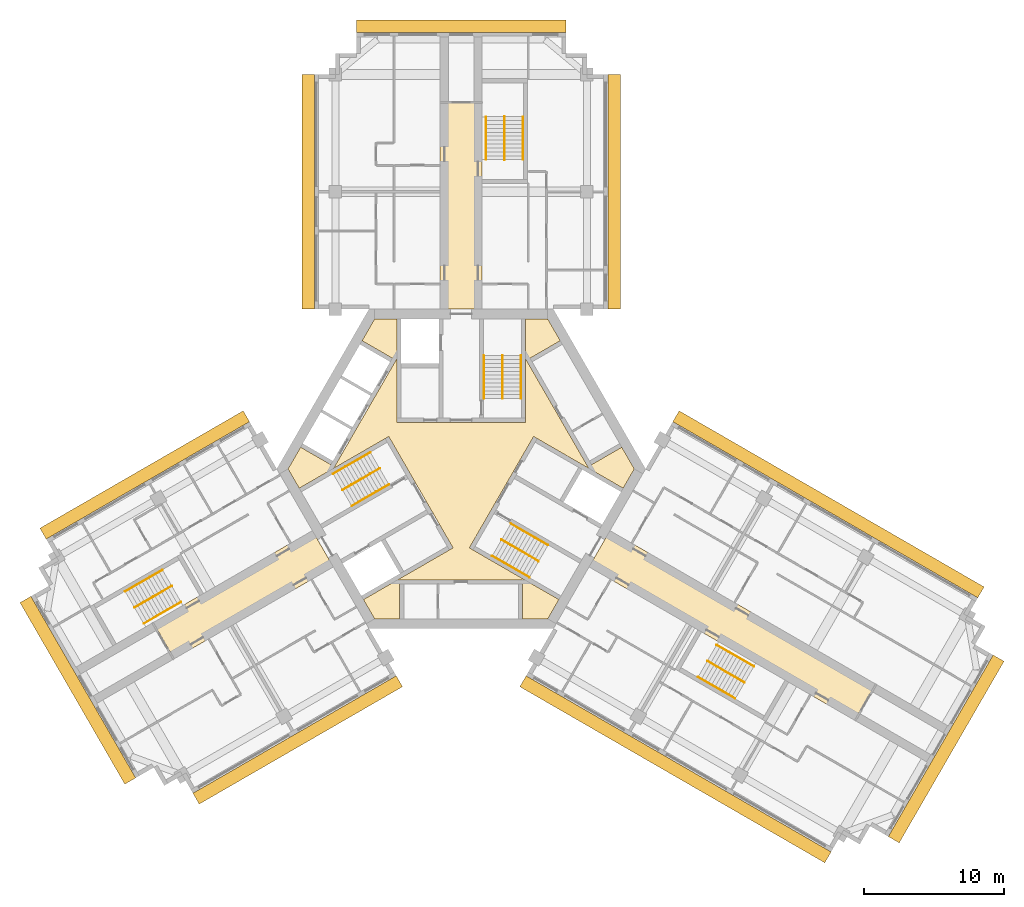
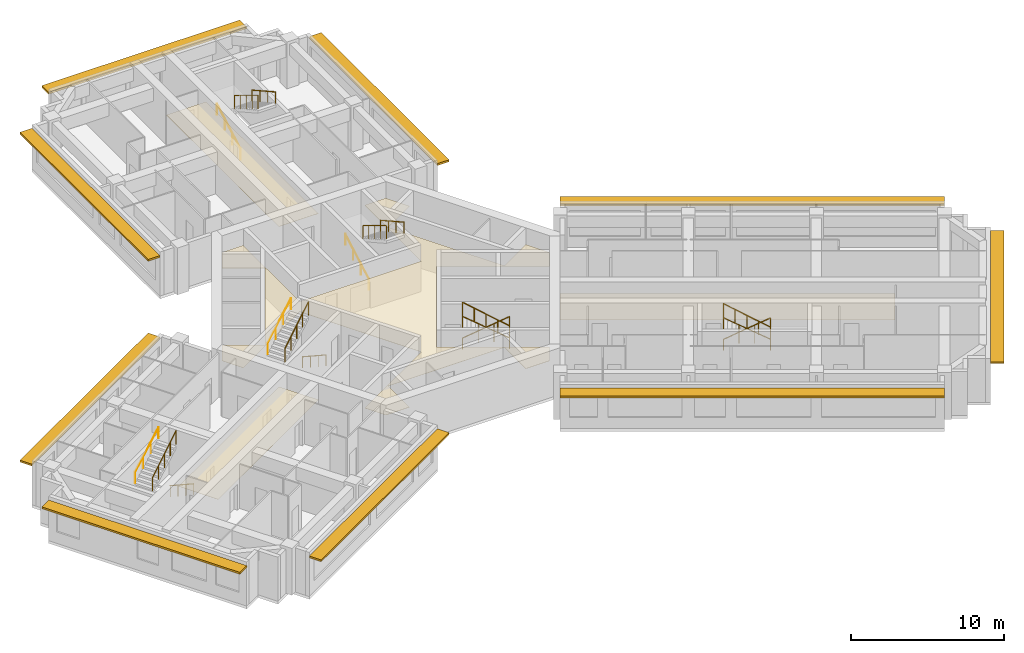
# One storey, part 10 of 10: 18 railings, 4 coverings, 3 shading devices.
"""IFC4 building model written with IfcOpenShell, lengths in metres."""

import ifcopenshell
import ifcopenshell.guid

model = None  # the IFC model being written
_history = None  # IfcOwnerHistory: only IFC2X3 demands one
_inside = {}  # id of a spatial element -> (the spatial element, [elements in it])
_under = {}  # id of a project, library or spatial element -> (it, [spatial elements below it])
_declared = {}  # id of a project -> (the project, [libraries it declares])
_typed = {}  # id of a type object -> (the type object, [elements of that type])
_made_of = {}  # id of a material, layer set ... -> (it, [elements and type objects made of it])


def new_model(schema):
    """Start an empty IFC model of exactly this schema.

    Asked for "IFC4X3", IfcOpenShell would pick the latest addendum, in which some entities
    have other attributes; the version numbers below select the first issue.
    IFC2X3 requires an IfcOwnerHistory on every rooted entity: one is made here for all.
    """
    global model, _history
    if schema == "IFC4X3":
        model = ifcopenshell.file(schema_version=(4, 3, 0, 0))
    else:
        model = ifcopenshell.file(schema=schema)
    _inside.clear()
    _under.clear()
    _declared.clear()
    _typed.clear()
    _made_of.clear()
    _history = None
    if model.schema == "IFC2X3":
        org = make("IfcOrganization", Name="unknown")
        user = make(
            "IfcPersonAndOrganization",
            ThePerson=make("IfcPerson", FamilyName="unknown"),
            TheOrganization=org,
        )
        app = make(
            "IfcApplication",
            ApplicationDeveloper=org,
            Version="unknown",
            ApplicationFullName="unknown",
            ApplicationIdentifier="unknown",
        )
        _history = make(
            "IfcOwnerHistory",
            OwningUser=user,
            OwningApplication=app,
            ChangeAction="ADDED",
            CreationDate=0,
        )
    return model


def make(cls, **values):
    """One entity of the class cls with the attributes given. An attribute that is None is left unset."""
    return model.create_entity(
        cls, **{name: value for name, value in values.items() if value is not None}
    )


def rooted(cls, **values):
    """An entity with a GlobalId (a new one), such as an element, a storey or a relation."""
    return make(cls, GlobalId=ifcopenshell.guid.new(), OwnerHistory=_history, **values)


def si_unit(unit_type, name, prefix=None):
    """IfcSIUnit, for example si_unit("LENGTHUNIT", "METRE", prefix="MILLI")."""
    return make("IfcSIUnit", UnitType=unit_type, Prefix=prefix, Name=name)


def assignment(units):
    """IfcUnitAssignment: the units of a project."""
    return None if units is None else make("IfcUnitAssignment", Units=units)


def point(xyz):
    """IfcCartesianPoint."""
    return None if xyz is None else make("IfcCartesianPoint", Coordinates=xyz)


def direction(xyz):
    """IfcDirection."""
    return None if xyz is None else make("IfcDirection", DirectionRatios=xyz)


def frame(location, z_axis=None, x_axis=None):
    """IfcAxis2Placement3D, a coordinate frame: its origin and axes. An axis left out is left unset."""
    return make(
        "IfcAxis2Placement3D",
        Location=point(location),
        Axis=direction(z_axis),
        RefDirection=direction(x_axis),
    )


def frame_2d(location, x_axis=None):
    """IfcAxis2Placement2D, a coordinate frame in the plane: its origin and x axis."""
    return make(
        "IfcAxis2Placement2D", Location=point(location), RefDirection=direction(x_axis)
    )


def origin():
    """The frame at (0, 0, 0) with its axes left unset."""
    return frame((0.0, 0.0, 0.0))


def origin_2d():
    """The frame at (0, 0) in the plane with its x axis left unset."""
    return frame_2d((0.0, 0.0))


def place(relative_to, where):
    """IfcLocalPlacement: puts the frame where relative to a parent placement (None: the world)."""
    return make(
        "IfcLocalPlacement", PlacementRelTo=relative_to, RelativePlacement=where
    )


def context(
    kind, dimensions, precision=None, world=None, true_north=None, identifier=None
):
    """IfcGeometricRepresentationContext, for example the 3D "Model" context."""
    return make(
        "IfcGeometricRepresentationContext",
        ContextIdentifier=identifier,
        ContextType=kind,
        CoordinateSpaceDimension=dimensions,
        Precision=precision,
        WorldCoordinateSystem=world,
        TrueNorth=true_north,
    )


def subcontext(parent, identifier, kind, view, scale=None):
    """IfcGeometricRepresentationSubContext, for example "Body" below "Model"."""
    return make(
        "IfcGeometricRepresentationSubContext",
        ContextIdentifier=identifier,
        ContextType=kind,
        ParentContext=parent,
        TargetScale=scale,
        TargetView=view,
    )


def project(units=None, contexts=None):
    """IfcProject with its units and contexts."""
    return rooted(
        "IfcProject",
        Name="project",
        RepresentationContexts=contexts,
        UnitsInContext=assignment(units),
    )


def spatial(cls, under=None, at=None, **own):
    """A site, building, storey or space (cls), placed at a placement, below another one or the project."""
    s = rooted(cls, ObjectPlacement=at, **own)
    if under is not None:
        _under.setdefault(under.id(), (under, []))[1].append(s)
    return s


def polyline(points):
    """IfcPolyline through the points."""
    return make("IfcPolyline", Points=[point(p) for p in points])


def profile(cls, at=None, kind="AREA", **sizes):
    """A parametric profile (cls). Its sizes go by their IFC names, for example OverallWidth=200.0."""
    return make(cls, ProfileType=kind, Position=at, **sizes)


def rectangle(**sizes):
    """IfcRectangleProfileDef."""
    return profile("IfcRectangleProfileDef", **sizes)


def circle(**sizes):
    """IfcCircleProfileDef."""
    return profile("IfcCircleProfileDef", **sizes)


def outline(outer, holes=None, kind="AREA"):
    """IfcArbitraryClosedProfileDef: a profile drawn as a closed curve; with holes, ...WithVoids."""
    if holes is None:
        return make("IfcArbitraryClosedProfileDef", ProfileType=kind, OuterCurve=outer)
    return make(
        "IfcArbitraryProfileDefWithVoids",
        ProfileType=kind,
        OuterCurve=outer,
        InnerCurves=holes,
    )


def extrude(swept, where, along, depth):
    """IfcExtrudedAreaSolid: the profile swept, set in the frame where, extruded along a direction by depth."""
    return make(
        "IfcExtrudedAreaSolid",
        SweptArea=swept,
        Position=where,
        ExtrudedDirection=direction(along),
        Depth=depth,
    )


def shape(context_of_items, identifier, shape_type, items):
    """IfcShapeRepresentation: the items that make up one representation, for example the "Body"."""
    return make(
        "IfcShapeRepresentation",
        ContextOfItems=context_of_items,
        RepresentationIdentifier=identifier,
        RepresentationType=shape_type,
        Items=items,
    )


def material(Name=None, Category=None):
    """IfcMaterial."""
    return make("IfcMaterial", Name=Name, Category=Category)


def layer(
    of_material, thickness, ventilated=None, Name=None, Category=None, Priority=None
):
    """IfcMaterialLayer: one layer of a wall or slab, of a material (None: an air gap)."""
    return make(
        "IfcMaterialLayer",
        Material=of_material,
        LayerThickness=thickness,
        IsVentilated=ventilated,
        Name=Name,
        Category=Category,
        Priority=Priority,
    )


def layer_set(layers, Name=None):
    """IfcMaterialLayerSet."""
    return make("IfcMaterialLayerSet", MaterialLayers=layers, LayerSetName=Name)


def made_of(thing, what):
    """Note that an element or type object is made of a material, layer set ...; save() writes the relation."""
    if what is not None:
        _made_of.setdefault(what.id(), (what, []))[1].append(thing)
    return thing


def type_object(cls, material=None, **own):
    """A type object (cls), such as IfcWallType, which elements share."""
    return made_of(rooted(cls, **own), material)


def element(
    cls,
    number,
    at=None,
    inside=None,
    cuts=None,
    type_object=None,
    material=None,
    context=None,
    identifier="Body",
    shape_type=None,
    held_by="IfcProductDefinitionShape",
    body=None,
    shapes=None,
    **own,
):
    """One element of the class cls, such as IfcWall. Its Tag is "e" and its number.

    at: its placement. inside: the storey or other place that contains it. cuts: it is an
    opening in that element (IfcRelVoidsElement). A single representation is given by context,
    identifier, shape_type and body (its items); several are given by shapes. held_by: the class
    of the entity that holds the representations. save() writes the other relations.
    """
    e = rooted(cls, Tag="e%d" % number, ObjectPlacement=at, **own)
    if body is not None:
        shapes = [shape(context, identifier, shape_type, body)]
    if shapes is not None:
        e.Representation = make(held_by, Representations=shapes)
    if inside is not None:
        _inside.setdefault(inside.id(), (inside, []))[1].append(e)
    if cuts is not None:
        rooted(
            "IfcRelVoidsElement", RelatingBuildingElement=cuts, RelatedOpeningElement=e
        )
    if type_object is not None:
        _typed.setdefault(type_object.id(), (type_object, []))[1].append(e)
    return made_of(e, material)


def aggregate(whole, parts):
    """IfcRelAggregates: a whole, such as a stair, and the parts it consists of."""
    return rooted("IfcRelAggregates", RelatingObject=whole, RelatedObjects=parts)


def save(model, path):
    """Write the relations noted so far, then the file.

    IfcRelAggregates (storeys below a building ...), IfcRelContainedInSpatialStructure (elements
    in a storey), IfcRelDefinesByType, IfcRelAssociatesMaterial and IfcRelDeclares: one each for
    every whole, place, type object, material and project.
    """
    for whole, parts in _under.values():
        aggregate(whole, parts)
    for where, things in _inside.values():
        rooted(
            "IfcRelContainedInSpatialStructure",
            RelatedElements=things,
            RelatingStructure=where,
        )
    for kind, things in _typed.values():
        rooted("IfcRelDefinesByType", RelatedObjects=things, RelatingType=kind)
    for what, things in _made_of.values():
        rooted("IfcRelAssociatesMaterial", RelatedObjects=things, RelatingMaterial=what)
    for by, libraries in _declared.values():
        rooted("IfcRelDeclares", RelatingContext=by, RelatedDefinitions=libraries)
    model.write(path)


model = new_model("IFC4")

# Units and contexts
model_context = context("Model", 3, precision=1e-05, world=origin(), true_north=direction((0.0, 1.0)))
body_context = subcontext(model_context, "Body", "Model", "MODEL_VIEW")
ifc_project = project(units=[si_unit("LENGTHUNIT", "METRE"), si_unit("AREAUNIT", "SQUARE_METRE"), si_unit("VOLUMEUNIT", "CUBIC_METRE"), si_unit("PLANEANGLEUNIT", "RADIAN"), si_unit("MASSUNIT", "GRAM", prefix="KILO")], contexts=[model_context])

# Site, building, storey
site_placement = place(None, origin())
site = spatial("IfcSite", under=ifc_project, at=site_placement, CompositionType="ELEMENT")
building_placement = place(site_placement, origin())
building = spatial("IfcBuilding", under=site, at=building_placement, Name="Impinga Residences", CompositionType="ELEMENT")
storey_placement = place(building_placement, frame((0.0, 0.0, 226.0)))
storey = spatial("IfcBuildingStorey", under=building, at=storey_placement, Name="L56", CompositionType="ELEMENT", Elevation=226.0)

# Coverings
ifc_material_1 = material(Name="Plasterboard 15 mm on steel hangers", Category="steel")
ifc_layer_1 = layer(ifc_material_1, 0.014892578125)
ifc_layer_set_1 = layer_set([ifc_layer_1], Name="Plasterboard 15 mm on steel hangers")
covering_type_1 = type_object("IfcCoveringType", Name="CL1 corridor ceiling, 15 mm plasterboard on hangers", PredefinedType="CEILING", material=ifc_layer_set_1)
covering_1_placement = place(storey_placement, frame((0.0, 0.0, 2.39990234375)))
element("IfcCovering", 1, at=covering_1_placement, inside=storey, type_object=covering_type_1, Name="Corridor ceiling CL1 L56-N00", PredefinedType="CEILING", context=body_context, shape_type="SweptSolid", body=[
    extrude(outline(polyline([(-1.5, 11.431640625), (1.5, 11.431640625), (1.5, 26.181640625), (-1.5, 26.181640625), (-1.5, 11.431640625)])), origin(), (0.0, 0.0, 1.0), 0.01513671875),
])
covering_2_placement = place(storey_placement, frame((0.0, 0.0, 2.39990234375)))
element("IfcCovering", 2, at=covering_2_placement, inside=storey, type_object=covering_type_1, Name="Corridor ceiling CL1 L56-W00", PredefinedType="CEILING", context=body_context, shape_type="SweptSolid", body=[
    extrude(outline(polyline([(-9.14990234375, -7.014892578125), (-10.64990234375, -4.416748046875), (-22.038330078125, -10.99169921875), (-20.538330078125, -13.58984375), (-9.14990234375, -7.014892578125)])), origin(), (0.0, 0.0, 1.0), 0.01513671875),
])
covering_3_placement = place(storey_placement, frame((0.0, 0.0, 2.39990234375)))
element("IfcCovering", 3, at=covering_3_placement, inside=storey, type_object=covering_type_1, Name="Corridor ceiling CL1 L56-E00", PredefinedType="CEILING", context=body_context, shape_type="SweptSolid", body=[
    extrude(outline(polyline([(10.64990234375, -4.416748046875), (9.14990234375, -7.014892578125), (28.1591796875, -17.98974609375), (29.6591796875, -15.391845703125), (10.64990234375, -4.416748046875)])), origin(), (0.0, 0.0, 1.0), 0.01513671875),
])
ifc_material_2 = material(Name="Mineral fibre tiles 20 mm on exposed grid", Category="mineral fibre")
ifc_layer_2 = layer(ifc_material_2, 0.02001953125)
ifc_layer_set_2 = layer_set([ifc_layer_2], Name="CL2 lift lobby ceiling, 20 mm mineral fibre tiles")
covering_type_2 = type_object("IfcCoveringType", Name="CL2 lift lobby ceiling, 20 mm mineral fibre tiles", PredefinedType="CEILING", material=ifc_layer_set_2)
covering_4_placement = place(storey_placement, frame((0.0, 0.0, 2.39990234375)))
element("IfcCovering", 4, at=covering_4_placement, inside=storey, type_object=covering_type_2, Name="Lift lobby ceiling CL2 L56-C01", PredefinedType="CEILING", context=body_context, shape_type="SweptSolid", body=[
    extrude(outline(polyline([(12.3916015625, 0.0), (11.59375, -1.382080078125), (5.183837890625, 2.318603515625), (0.583984375, -5.648681640625), (6.993896484375, -9.349365234375), (6.19580078125, -10.7314453125), (4.39990234375, -10.7314453125), (4.39990234375, -7.931640625), (-4.39990234375, -7.931640625), (-4.39990234375, -10.7314453125), (-6.19580078125, -10.7314453125), (-6.993896484375, -9.349365234375), (-0.583984375, -5.648681640625), (-5.183837890625, 2.318603515625), (-11.59375, -1.382080078125), (-12.3916015625, 0.0), (-11.493896484375, 1.55517578125), (-9.06884765625, 0.1552734375), (-4.6689453125, 7.7763671875), (-7.09375, 9.17626953125), (-6.19580078125, 10.7314453125), (-4.60009765625, 10.7314453125), (-4.60009765625, 3.330078125), (4.60009765625, 3.330078125), (4.60009765625, 10.7314453125), (6.19580078125, 10.7314453125), (7.09375, 9.17626953125), (4.6689453125, 7.7763671875), (9.06884765625, 0.1552734375), (11.493896484375, 1.55517578125), (12.3916015625, 0.0)])), origin(), (0.0, 0.0, 1.0), 0.02001953125),
])

# Railings
ifc_material_3 = material(Name="Steel guard, powder coated", Category="steel")
railing_type_1 = type_object("IfcRailingType", Name="GR1 stair guard 1100", PredefinedType="GUARDRAIL", material=ifc_material_3)
railing_1_placement = place(storey_placement, frame((2.949951171875, 8.110107421875, 1.875)))
element("IfcRailing", 5, at=railing_1_placement, inside=storey, type_object=railing_type_1, Name="Stair guard GR1 ST1 L56", PredefinedType="GUARDRAIL", context=body_context, shape_type="SweptSolid", body=[
    extrude(circle(Radius=0.02392578125, at=origin_2d()), frame((0.0, 0.0, 1.076171875), z_axis=(0.0, -0.854177636135, 0.519981313056), x_axis=(1.0, 0.0, 0.0)), (0.0, 0.0, 1.0), 3.60595703125),
    extrude(circle(Radius=0.02099609375, at=origin_2d()), origin(), (0.0, 0.0, 1.0), 1.052001953125),
    extrude(circle(Radius=0.02099609375, at=origin_2d()), frame((0.0, -0.77001953125, 0.46875)), (0.0, 0.0, 1.0), 1.052001953125),
    extrude(circle(Radius=0.02099609375, at=origin_2d()), frame((0.0, -1.5400390625, 0.9375)), (0.0, 0.0, 1.0), 1.052001953125),
    extrude(circle(Radius=0.02099609375, at=origin_2d()), frame((0.0, -2.31005859375, 1.40625)), (0.0, 0.0, 1.0), 1.052001953125),
    extrude(circle(Radius=0.02099609375, at=origin_2d()), frame((0.0, -3.080078125, 1.875)), (0.0, 0.0, 1.0), 1.052001953125),
])
railing_2_placement = place(storey_placement, frame((-8.49853515625, -1.500244140625, 1.875)))
element("IfcRailing", 6, at=railing_2_placement, inside=storey, type_object=railing_type_1, Name="Stair guard GR1 ST2 L56", PredefinedType="GUARDRAIL", context=body_context, shape_type="SweptSolid", body=[
    extrude(circle(Radius=0.02392578125, at=origin_2d()), frame((0.0, 0.0, 1.076171875), z_axis=(0.739746383972, 0.427084037168, 0.519975492303), x_axis=(-0.499992328818, 0.866029832698, 0.0)), (0.0, 0.0, 1.0), 3.60595703125),
    extrude(circle(Radius=0.02099609375, at=origin_2d()), origin(), (0.0, 0.0, 1.0), 1.052001953125),
    extrude(circle(Radius=0.02099609375, at=origin_2d()), frame((0.6669921875, 0.385009765625, 0.46875)), (0.0, 0.0, 1.0), 1.052001953125),
    extrude(circle(Radius=0.02099609375, at=origin_2d()), frame((1.333740234375, 0.77001953125, 0.9375)), (0.0, 0.0, 1.0), 1.052001953125),
    extrude(circle(Radius=0.02099609375, at=origin_2d()), frame((2.00048828125, 1.155029296875, 1.40625)), (0.0, 0.0, 1.0), 1.052001953125),
    extrude(circle(Radius=0.02099609375, at=origin_2d()), frame((2.66748046875, 1.5400390625, 1.875)), (0.0, 0.0, 1.0), 1.052001953125),
])
railing_3_placement = place(storey_placement, frame((5.548583984375, -6.60986328125, 1.875)))
element("IfcRailing", 7, at=railing_3_placement, inside=storey, type_object=railing_type_1, Name="Stair guard GR1 ST3 L56", PredefinedType="GUARDRAIL", context=body_context, shape_type="SweptSolid", body=[
    extrude(circle(Radius=0.02392578125, at=origin_2d()), frame((0.0, 0.0, 1.076171875), z_axis=(-0.739746383972, 0.427084037168, 0.519975492303), x_axis=(-0.499992328818, -0.866029832698, 0.0)), (0.0, 0.0, 1.0), 3.60595703125),
    extrude(circle(Radius=0.02099609375, at=origin_2d()), origin(), (0.0, 0.0, 1.0), 1.052001953125),
    extrude(circle(Radius=0.02099609375, at=origin_2d()), frame((-0.6669921875, 0.385009765625, 0.46875)), (0.0, 0.0, 1.0), 1.052001953125),
    extrude(circle(Radius=0.02099609375, at=origin_2d()), frame((-1.333740234375, 0.77001953125, 0.9375)), (0.0, 0.0, 1.0), 1.052001953125),
    extrude(circle(Radius=0.02099609375, at=origin_2d()), frame((-2.00048828125, 1.155029296875, 1.40625)), (0.0, 0.0, 1.0), 1.052001953125),
    extrude(circle(Radius=0.02099609375, at=origin_2d()), frame((-2.66748046875, 1.5400390625, 1.875)), (0.0, 0.0, 1.0), 1.052001953125),
])
railing_4_placement = place(storey_placement, frame((3.10009765625, 25.21142578125, 1.875)))
element("IfcRailing", 8, at=railing_4_placement, inside=storey, type_object=railing_type_1, Name="Stair guard GR1 WS1 L56", PredefinedType="GUARDRAIL", context=body_context, shape_type="SweptSolid", body=[
    extrude(circle(Radius=0.02392578125, at=origin_2d()), frame((0.0, 0.0, 1.076171875), z_axis=(0.0, -0.854159328187, 0.520011386482), x_axis=(1.0, 0.0, 0.0)), (0.0, 0.0, 1.0), 3.605712890625),
    extrude(circle(Radius=0.02099609375, at=origin_2d()), origin(), (0.0, 0.0, 1.0), 1.052001953125),
    extrude(circle(Radius=0.02099609375, at=origin_2d()), frame((0.0, -0.77001953125, 0.46875)), (0.0, 0.0, 1.0), 1.052001953125),
    extrude(circle(Radius=0.02099609375, at=origin_2d()), frame((0.0, -1.5400390625, 0.9375)), (0.0, 0.0, 1.0), 1.052001953125),
    extrude(circle(Radius=0.02099609375, at=origin_2d()), frame((0.0, -2.309814453125, 1.40625)), (0.0, 0.0, 1.0), 1.052001953125),
    extrude(circle(Radius=0.02099609375, at=origin_2d()), frame((0.0, -3.079833984375, 1.875)), (0.0, 0.0, 1.0), 1.052001953125),
])
railing_5_placement = place(storey_placement, frame((-23.3837890625, -9.921142578125, 1.875)))
element("IfcRailing", 9, at=railing_5_placement, inside=storey, type_object=railing_type_1, Name="Stair guard GR1 WS2 L56", PredefinedType="GUARDRAIL", context=body_context, shape_type="SweptSolid", body=[
    extrude(circle(Radius=0.02392578125, at=origin_2d()), frame((0.0, 0.0, 1.076171875), z_axis=(0.739715726454, 0.427105428144, 0.52000153585), x_axis=(-0.500026652407, 0.866010015463, 0.0)), (0.0, 0.0, 1.0), 3.605712890625),
    extrude(circle(Radius=0.02099609375, at=origin_2d()), origin(), (0.0, 0.0, 1.0), 1.052001953125),
    extrude(circle(Radius=0.02099609375, at=origin_2d()), frame((0.666748046875, 0.385009765625, 0.46875)), (0.0, 0.0, 1.0), 1.052001953125),
    extrude(circle(Radius=0.02099609375, at=origin_2d()), frame((1.33349609375, 0.77001953125, 0.9375)), (0.0, 0.0, 1.0), 1.052001953125),
    extrude(circle(Radius=0.02099609375, at=origin_2d()), frame((2.00048828125, 1.155029296875, 1.40625)), (0.0, 0.0, 1.0), 1.052001953125),
    extrude(circle(Radius=0.02099609375, at=origin_2d()), frame((2.667236328125, 1.5400390625, 1.875)), (0.0, 0.0, 1.0), 1.052001953125),
])
railing_6_placement = place(storey_placement, frame((20.283935546875, -15.29052734375, 1.875)))
element("IfcRailing", 10, at=railing_6_placement, inside=storey, type_object=railing_type_1, Name="Stair guard GR1 WS3 L56", PredefinedType="GUARDRAIL", context=body_context, shape_type="SweptSolid", body=[
    extrude(circle(Radius=0.02392578125, at=origin_2d()), frame((0.0, 0.0, 1.076171875), z_axis=(-0.739746383972, 0.427084037168, 0.519975492303), x_axis=(-0.499992328818, -0.866029832698, 0.0)), (0.0, 0.0, 1.0), 3.60595703125),
    extrude(circle(Radius=0.02099609375, at=origin_2d()), origin(), (0.0, 0.0, 1.0), 1.052001953125),
    extrude(circle(Radius=0.02099609375, at=origin_2d()), frame((-0.6669921875, 0.385009765625, 0.46875)), (0.0, 0.0, 1.0), 1.052001953125),
    extrude(circle(Radius=0.02099609375, at=origin_2d()), frame((-1.333740234375, 0.77001953125, 0.9375)), (0.0, 0.0, 1.0), 1.052001953125),
    extrude(circle(Radius=0.02099609375, at=origin_2d()), frame((-2.00048828125, 1.155029296875, 1.40625)), (0.0, 0.0, 1.0), 1.052001953125),
    extrude(circle(Radius=0.02099609375, at=origin_2d()), frame((-2.66748046875, 1.5400390625, 1.875)), (0.0, 0.0, 1.0), 1.052001953125),
])
ifc_material_4 = material(Name="Steel handrail tube 42 mm, powder coated", Category="steel")
railing_type_2 = type_object("IfcRailingType", Name="HR1 stair handrail, 42 mm steel tube, 900 above the pitch line", PredefinedType="HANDRAIL", material=ifc_material_4)
railing_7_placement = place(storey_placement, frame((1.62109375, 5.030029296875, 0.15625)))
element("IfcRailing", 11, at=railing_7_placement, inside=storey, type_object=railing_type_2, Name="Stair handrail HR1 ST1 L56", PredefinedType="HANDRAIL", context=body_context, shape_type="SweptSolid", body=[
    extrude(circle(Radius=0.02099609375, at=origin_2d()), frame((0.0, 0.0, 0.87890625), z_axis=(0.0, 0.873241540666, 0.487287606713), x_axis=(-1.0, 0.0, 0.0)), (0.0, 0.0, 1.0), 3.527099609375),
    extrude(circle(Radius=0.012451171875, at=origin_2d()), origin(), (0.0, 0.0, 1.0), 0.85791015625),
    extrude(circle(Radius=0.012451171875, at=origin_2d()), frame((0.0, 1.026611328125, 0.572998046875)), (0.0, 0.0, 1.0), 0.85791015625),
    extrude(circle(Radius=0.012451171875, at=origin_2d()), frame((0.0, 2.053466796875, 1.145751953125)), (0.0, 0.0, 1.0), 0.85791015625),
    extrude(circle(Radius=0.012451171875, at=origin_2d()), frame((0.0, 3.080078125, 1.71875)), (0.0, 0.0, 1.0), 0.85791015625),
])
railing_8_placement = place(storey_placement, frame((4.279052734375, 8.110107421875, 2.03125)))
element("IfcRailing", 12, at=railing_8_placement, inside=storey, type_object=railing_type_2, Name="Stair handrail HR1 ST1 L56", PredefinedType="HANDRAIL", context=body_context, shape_type="SweptSolid", body=[
    extrude(circle(Radius=0.02099609375, at=origin_2d()), frame((0.0, 0.0, 0.87890625), z_axis=(0.0, -0.873241540666, 0.487287606713), x_axis=(1.0, 0.0, 0.0)), (0.0, 0.0, 1.0), 3.527099609375),
    extrude(circle(Radius=0.012451171875, at=origin_2d()), origin(), (0.0, 0.0, 1.0), 0.85791015625),
    extrude(circle(Radius=0.012451171875, at=origin_2d()), frame((0.0, -1.026611328125, 0.572998046875)), (0.0, 0.0, 1.0), 0.85791015625),
    extrude(circle(Radius=0.012451171875, at=origin_2d()), frame((0.0, -2.053466796875, 1.145751953125)), (0.0, 0.0, 1.0), 0.85791015625),
    extrude(circle(Radius=0.012451171875, at=origin_2d()), frame((0.0, -3.080078125, 1.71875)), (0.0, 0.0, 1.0), 0.85791015625),
])
railing_9_placement = place(storey_placement, frame((-5.16650390625, -1.111083984375, 0.15625)))
element("IfcRailing", 13, at=railing_9_placement, inside=storey, type_object=railing_type_2, Name="Stair handrail HR1 ST2 L56", PredefinedType="HANDRAIL", context=body_context, shape_type="SweptSolid", body=[
    extrude(circle(Radius=0.02099609375, at=origin_2d()), frame((0.0, 0.0, 0.87890625), z_axis=(-0.756255980417, -0.436615662133, 0.487281905742), x_axis=(0.499992328818, -0.866029832698, 0.0)), (0.0, 0.0, 1.0), 3.527099609375),
    extrude(circle(Radius=0.012451171875, at=origin_2d()), origin(), (0.0, 0.0, 1.0), 0.85791015625),
    extrude(circle(Radius=0.012451171875, at=origin_2d()), frame((-0.88916015625, -0.513427734375, 0.572998046875)), (0.0, 0.0, 1.0), 0.85791015625),
    extrude(circle(Radius=0.012451171875, at=origin_2d()), frame((-1.7783203125, -1.026611328125, 1.145751953125)), (0.0, 0.0, 1.0), 0.85791015625),
    extrude(circle(Radius=0.012451171875, at=origin_2d()), frame((-2.66748046875, -1.5400390625, 1.71875)), (0.0, 0.0, 1.0), 0.85791015625),
])
railing_10_placement = place(storey_placement, frame((-9.1630859375, -0.349365234375, 2.03125)))
element("IfcRailing", 14, at=railing_10_placement, inside=storey, type_object=railing_type_2, Name="Stair handrail HR1 ST2 L56", PredefinedType="HANDRAIL", context=body_context, shape_type="SweptSolid", body=[
    extrude(circle(Radius=0.02099609375, at=origin_2d()), frame((0.0, 0.0, 0.87890625), z_axis=(0.756255980417, 0.436615662133, 0.487281905742), x_axis=(-0.499992328818, 0.866029832698, 0.0)), (0.0, 0.0, 1.0), 3.527099609375),
    extrude(circle(Radius=0.012451171875, at=origin_2d()), origin(), (0.0, 0.0, 1.0), 0.85791015625),
    extrude(circle(Radius=0.012451171875, at=origin_2d()), frame((0.88916015625, 0.513427734375, 0.572998046875)), (0.0, 0.0, 1.0), 0.85791015625),
    extrude(circle(Radius=0.012451171875, at=origin_2d()), frame((1.7783203125, 1.026611328125, 1.145751953125)), (0.0, 0.0, 1.0), 0.85791015625),
    extrude(circle(Radius=0.012451171875, at=origin_2d()), frame((2.66748046875, 1.5400390625, 1.71875)), (0.0, 0.0, 1.0), 0.85791015625),
])
railing_11_placement = place(storey_placement, frame((3.545654296875, -3.9189453125, 0.15625)))
element("IfcRailing", 15, at=railing_11_placement, inside=storey, type_object=railing_type_2, Name="Stair handrail HR1 ST3 L56", PredefinedType="HANDRAIL", context=body_context, shape_type="SweptSolid", body=[
    extrude(circle(Radius=0.02099609375, at=origin_2d()), frame((0.0, 0.0, 0.87890625), z_axis=(0.756249203677, -0.436582492228, 0.487322141317), x_axis=(0.499967199496, 0.866044340336, 0.0)), (0.0, 0.0, 1.0), 3.52685546875),
    extrude(circle(Radius=0.012451171875, at=origin_2d()), origin(), (0.0, 0.0, 1.0), 0.85791015625),
    extrude(circle(Radius=0.012451171875, at=origin_2d()), frame((0.88916015625, -0.51318359375, 0.572998046875)), (0.0, 0.0, 1.0), 0.85791015625),
    extrude(circle(Radius=0.012451171875, at=origin_2d()), frame((1.778076171875, -1.026611328125, 1.145751953125)), (0.0, 0.0, 1.0), 0.85791015625),
    extrude(circle(Radius=0.012451171875, at=origin_2d()), frame((2.667236328125, -1.539794921875, 1.71875)), (0.0, 0.0, 1.0), 0.85791015625),
])
railing_12_placement = place(storey_placement, frame((4.884033203125, -7.7607421875, 2.03125)))
element("IfcRailing", 16, at=railing_12_placement, inside=storey, type_object=railing_type_2, Name="Stair handrail HR1 ST3 L56", PredefinedType="HANDRAIL", context=body_context, shape_type="SweptSolid", body=[
    extrude(circle(Radius=0.02099609375, at=origin_2d()), frame((0.0, 0.0, 0.87890625), z_axis=(-0.756255980417, 0.436615662133, 0.487281905742), x_axis=(-0.499992328818, -0.866029832698, 0.0)), (0.0, 0.0, 1.0), 3.527099609375),
    extrude(circle(Radius=0.012451171875, at=origin_2d()), origin(), (0.0, 0.0, 1.0), 0.85791015625),
    extrude(circle(Radius=0.012451171875, at=origin_2d()), frame((-0.88916015625, 0.513427734375, 0.572998046875)), (0.0, 0.0, 1.0), 0.85791015625),
    extrude(circle(Radius=0.012451171875, at=origin_2d()), frame((-1.7783203125, 1.026611328125, 1.145751953125)), (0.0, 0.0, 1.0), 0.85791015625),
    extrude(circle(Radius=0.012451171875, at=origin_2d()), frame((-2.66748046875, 1.5400390625, 1.71875)), (0.0, 0.0, 1.0), 0.85791015625),
])
railing_13_placement = place(storey_placement, frame((1.77099609375, 22.131591796875, 0.15625)))
element("IfcRailing", 17, at=railing_13_placement, inside=storey, type_object=railing_type_2, Name="Stair handrail HR1 WS1 L56", PredefinedType="HANDRAIL", context=body_context, shape_type="SweptSolid", body=[
    extrude(circle(Radius=0.02099609375, at=origin_2d()), frame((0.0, 0.0, 0.87890625), z_axis=(0.0, 0.873225103656, 0.487317061414), x_axis=(-1.0, 0.0, 0.0)), (0.0, 0.0, 1.0), 3.52685546875),
    extrude(circle(Radius=0.012451171875, at=origin_2d()), origin(), (0.0, 0.0, 1.0), 0.85791015625),
    extrude(circle(Radius=0.012451171875, at=origin_2d()), frame((0.0, 1.026611328125, 0.572998046875)), (0.0, 0.0, 1.0), 0.85791015625),
    extrude(circle(Radius=0.012451171875, at=origin_2d()), frame((0.0, 2.05322265625, 1.145751953125)), (0.0, 0.0, 1.0), 0.85791015625),
    extrude(circle(Radius=0.012451171875, at=origin_2d()), frame((0.0, 3.079833984375, 1.71875)), (0.0, 0.0, 1.0), 0.85791015625),
])
railing_14_placement = place(storey_placement, frame((4.428955078125, 25.21142578125, 2.03125)))
element("IfcRailing", 18, at=railing_14_placement, inside=storey, type_object=railing_type_2, Name="Stair handrail HR1 WS1 L56", PredefinedType="HANDRAIL", context=body_context, shape_type="SweptSolid", body=[
    extrude(circle(Radius=0.02099609375, at=origin_2d()), frame((0.0, 0.0, 0.87890625), z_axis=(0.0, -0.873225103656, 0.487317061414), x_axis=(1.0, 0.0, 0.0)), (0.0, 0.0, 1.0), 3.52685546875),
    extrude(circle(Radius=0.012451171875, at=origin_2d()), origin(), (0.0, 0.0, 1.0), 0.85791015625),
    extrude(circle(Radius=0.012451171875, at=origin_2d()), frame((0.0, -1.026611328125, 0.572998046875)), (0.0, 0.0, 1.0), 0.85791015625),
    extrude(circle(Radius=0.012451171875, at=origin_2d()), frame((0.0, -2.05322265625, 1.145751953125)), (0.0, 0.0, 1.0), 0.85791015625),
    extrude(circle(Radius=0.012451171875, at=origin_2d()), frame((0.0, -3.079833984375, 1.71875)), (0.0, 0.0, 1.0), 0.85791015625),
])
railing_15_placement = place(storey_placement, frame((-20.052001953125, -9.531982421875, 0.15625)))
element("IfcRailing", 19, at=railing_15_placement, inside=storey, type_object=railing_type_2, Name="Stair handrail HR1 WS2 L56", PredefinedType="HANDRAIL", context=body_context, shape_type="SweptSolid", body=[
    extrude(circle(Radius=0.02099609375, at=origin_2d()), frame((0.0, 0.0, 0.87890625), z_axis=(-0.756226348243, -0.436638517594, 0.487307413422), x_axis=(0.500026652407, -0.866010015463, 0.0)), (0.0, 0.0, 1.0), 3.527099609375),
    extrude(circle(Radius=0.012451171875, at=origin_2d()), origin(), (0.0, 0.0, 1.0), 0.85791015625),
    extrude(circle(Radius=0.012451171875, at=origin_2d()), frame((-0.88916015625, -0.513427734375, 0.572998046875)), (0.0, 0.0, 1.0), 0.85791015625),
    extrude(circle(Radius=0.012451171875, at=origin_2d()), frame((-1.778076171875, -1.026611328125, 1.145751953125)), (0.0, 0.0, 1.0), 0.85791015625),
    extrude(circle(Radius=0.012451171875, at=origin_2d()), frame((-2.667236328125, -1.5400390625, 1.71875)), (0.0, 0.0, 1.0), 0.85791015625),
])
railing_16_placement = place(storey_placement, frame((-24.04833984375, -8.77001953125, 2.03125)))
element("IfcRailing", 20, at=railing_16_placement, inside=storey, type_object=railing_type_2, Name="Stair handrail HR1 WS2 L56", PredefinedType="HANDRAIL", context=body_context, shape_type="SweptSolid", body=[
    extrude(circle(Radius=0.02099609375, at=origin_2d()), frame((0.0, 0.0, 0.87890625), z_axis=(0.756278834354, 0.436559638319, 0.487296631324), x_axis=(-0.499932877268, 0.866064153644, 0.0)), (0.0, 0.0, 1.0), 3.527099609375),
    extrude(circle(Radius=0.012451171875, at=origin_2d()), origin(), (0.0, 0.0, 1.0), 0.85791015625),
    extrude(circle(Radius=0.012451171875, at=origin_2d()), frame((0.88916015625, 0.51318359375, 0.572998046875)), (0.0, 0.0, 1.0), 0.85791015625),
    extrude(circle(Radius=0.012451171875, at=origin_2d()), frame((1.7783203125, 1.026611328125, 1.145751953125)), (0.0, 0.0, 1.0), 0.85791015625),
    extrude(circle(Radius=0.012451171875, at=origin_2d()), frame((2.66748046875, 1.539794921875, 1.71875)), (0.0, 0.0, 1.0), 0.85791015625),
])
railing_17_placement = place(storey_placement, frame((18.281005859375, -12.599609375, 0.15625)))
element("IfcRailing", 21, at=railing_17_placement, inside=storey, type_object=railing_type_2, Name="Stair handrail HR1 WS3 L56", PredefinedType="HANDRAIL", context=body_context, shape_type="SweptSolid", body=[
    extrude(circle(Radius=0.02099609375, at=origin_2d()), frame((0.0, 0.0, 0.87890625), z_axis=(0.756249203677, -0.436582492228, 0.487322141317), x_axis=(0.499967199496, 0.866044340336, 0.0)), (0.0, 0.0, 1.0), 3.52685546875),
    extrude(circle(Radius=0.012451171875, at=origin_2d()), origin(), (0.0, 0.0, 1.0), 0.85791015625),
    extrude(circle(Radius=0.012451171875, at=origin_2d()), frame((0.88916015625, -0.51318359375, 0.572998046875)), (0.0, 0.0, 1.0), 0.85791015625),
    extrude(circle(Radius=0.012451171875, at=origin_2d()), frame((1.778076171875, -1.026611328125, 1.145751953125)), (0.0, 0.0, 1.0), 0.85791015625),
    extrude(circle(Radius=0.012451171875, at=origin_2d()), frame((2.667236328125, -1.539794921875, 1.71875)), (0.0, 0.0, 1.0), 0.85791015625),
])
railing_18_placement = place(storey_placement, frame((19.619384765625, -16.44140625, 2.03125)))
element("IfcRailing", 22, at=railing_18_placement, inside=storey, type_object=railing_type_2, Name="Stair handrail HR1 WS3 L56", PredefinedType="HANDRAIL", context=body_context, shape_type="SweptSolid", body=[
    extrude(circle(Radius=0.02099609375, at=origin_2d()), frame((0.0, 0.0, 0.87890625), z_axis=(-0.756255980417, 0.436615662133, 0.487281905742), x_axis=(-0.499992328818, -0.866029832698, 0.0)), (0.0, 0.0, 1.0), 3.527099609375),
    extrude(circle(Radius=0.012451171875, at=origin_2d()), origin(), (0.0, 0.0, 1.0), 0.85791015625),
    extrude(circle(Radius=0.012451171875, at=origin_2d()), frame((-0.88916015625, 0.513427734375, 0.572998046875)), (0.0, 0.0, 1.0), 0.85791015625),
    extrude(circle(Radius=0.012451171875, at=origin_2d()), frame((-1.7783203125, 1.026611328125, 1.145751953125)), (0.0, 0.0, 1.0), 0.85791015625),
    extrude(circle(Radius=0.012451171875, at=origin_2d()), frame((-2.66748046875, 1.5400390625, 1.71875)), (0.0, 0.0, 1.0), 0.85791015625),
])

# Shading devices
ifc_material_5 = material(Name="Terracotta sunshade blades on aluminium brackets", Category="masonry")
ifc_layer_3 = layer(ifc_material_5, 0.14990234375)
ifc_layer_set_3 = layer_set([ifc_layer_3], Name="SS1 SUNSHADE terracotta sunshade band 900")
shading_device_type = type_object("IfcShadingDeviceType", Name="SS1 SUNSHADE terracotta sunshade band 900", PredefinedType="USERDEFINED", material=ifc_layer_set_3)
shading_device_1_placement = place(storey_placement, frame((-10.949951171875, 19.83154296875, 3.10009765625), z_axis=(0.0, 0.0, 1.0), x_axis=(0.0, 1.0, 0.0)))
element("IfcShadingDevice", 23, at=shading_device_1_placement, inside=storey, type_object=shading_device_type, Name="SUNSHADE band L56 NORTH WING", ObjectType="SUNSHADE", PredefinedType="USERDEFINED", context=body_context, shape_type="SweptSolid", body=[
    extrude(rectangle(XDim=16.800048828125, YDim=0.89990234375, at=origin_2d()), origin(), (0.0, 0.0, 1.0), 0.14990234375),
    extrude(rectangle(XDim=15.0, YDim=0.89990234375, at=origin_2d()), frame((11.85009765625, -10.949951171875, 0.0), z_axis=(0.0, 0.0, 1.0), x_axis=(0.0, -1.0, 0.0)), (0.0, 0.0, 1.0), 0.14990234375),
    extrude(rectangle(XDim=16.800048828125, YDim=0.89990234375, at=origin_2d()), frame((0.0, -21.89990234375, 0.0), z_axis=(0.0, 0.0, 1.0), x_axis=(-1.0, 0.0, 0.0)), (0.0, 0.0, 1.0), 0.14990234375),
])
shading_device_2_placement = place(storey_placement, frame((-11.69970703125, -19.398681640625, 3.10009765625), z_axis=(0.0, 0.0, 1.0), x_axis=(-0.866025403784, -0.5, 0.0)))
element("IfcShadingDevice", 24, at=shading_device_2_placement, inside=storey, type_object=shading_device_type, Name="SUNSHADE band L56 WEST WING", ObjectType="SUNSHADE", PredefinedType="USERDEFINED", context=body_context, shape_type="SweptSolid", body=[
    extrude(rectangle(XDim=16.800048828125, YDim=0.89990234375, at=origin_2d()), origin(), (0.0, 0.0, 1.0), 0.14990234375),
    extrude(rectangle(XDim=15.0, YDim=0.89990234375, at=origin_2d()), frame((11.849853515625, -10.949951171875, 0.0), z_axis=(0.0, 0.0, 1.0), x_axis=(0.0, -1.0, 0.0)), (0.0, 0.0, 1.0), 0.14990234375),
    extrude(rectangle(XDim=16.800048828125, YDim=0.89990234375, at=origin_2d()), frame((0.0, -21.89990234375, 0.0), z_axis=(0.0, 0.0, 1.0), x_axis=(-1.0, 0.0, 0.0)), (0.0, 0.0, 1.0), 0.14990234375),
])
shading_device_3_placement = place(storey_placement, frame((34.711669921875, -20.040771484375, 3.10009765625), z_axis=(0.0, 0.0, 1.0), x_axis=(-0.5, -0.866025403784, 0.0)))
element("IfcShadingDevice", 25, at=shading_device_3_placement, inside=storey, type_object=shading_device_type, Name="SUNSHADE band L56 EAST WING", ObjectType="SUNSHADE", PredefinedType="USERDEFINED", context=body_context, shape_type="SweptSolid", body=[
    extrude(rectangle(XDim=15.0, YDim=0.89990234375, at=origin_2d()), origin(), (0.0, 0.0, 1.0), 0.14990234375),
    extrude(rectangle(XDim=25.199951171875, YDim=0.89990234375, at=origin_2d()), frame((10.949951171875, -16.050048828125, 0.0), z_axis=(0.0, 0.0, 1.0), x_axis=(0.0, -1.0, 0.0)), (0.0, 0.0, 1.0), 0.14990234375),
    extrude(rectangle(XDim=25.199951171875, YDim=0.89990234375, at=origin_2d()), frame((-10.949951171875, -16.050048828125, 0.0), z_axis=(0.0, 0.0, 1.0), x_axis=(0.0, 1.0, 0.0)), (0.0, 0.0, 1.0), 0.14990234375),
])

save(model, "model.ifc")
